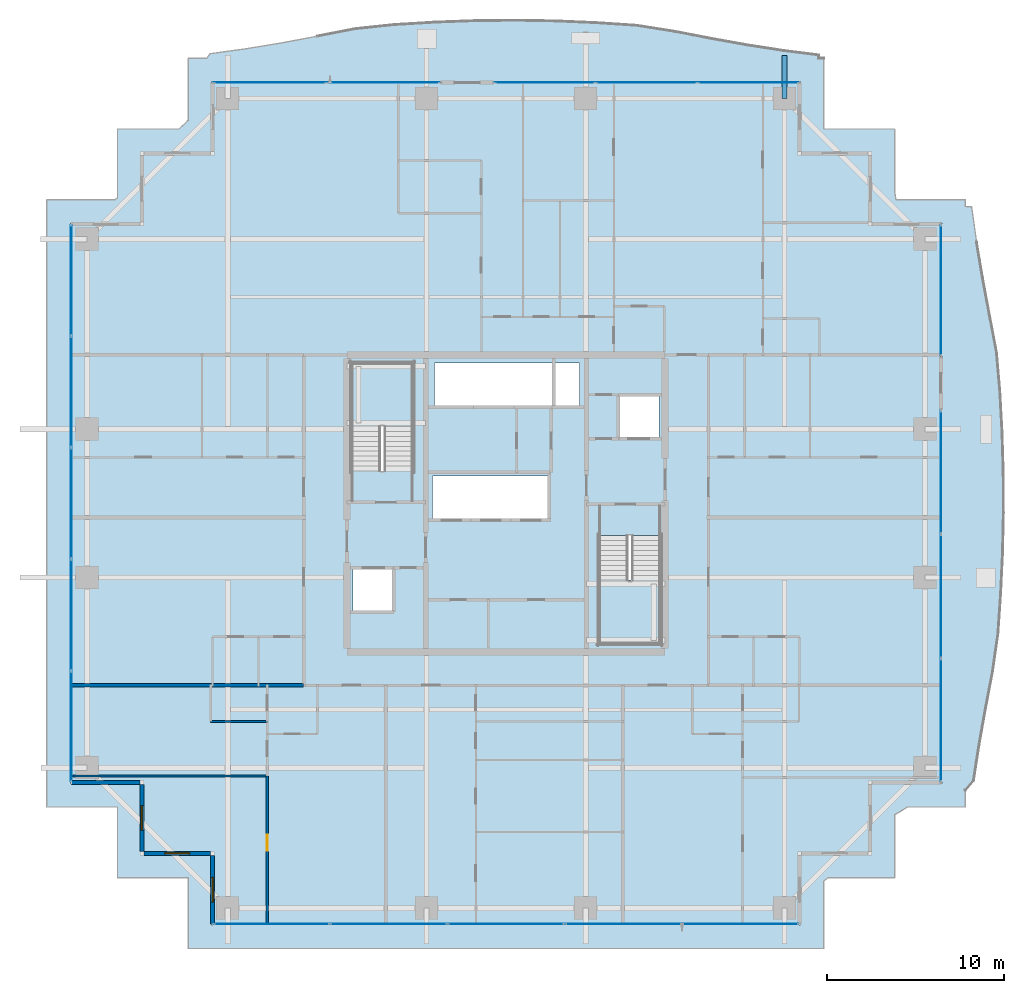
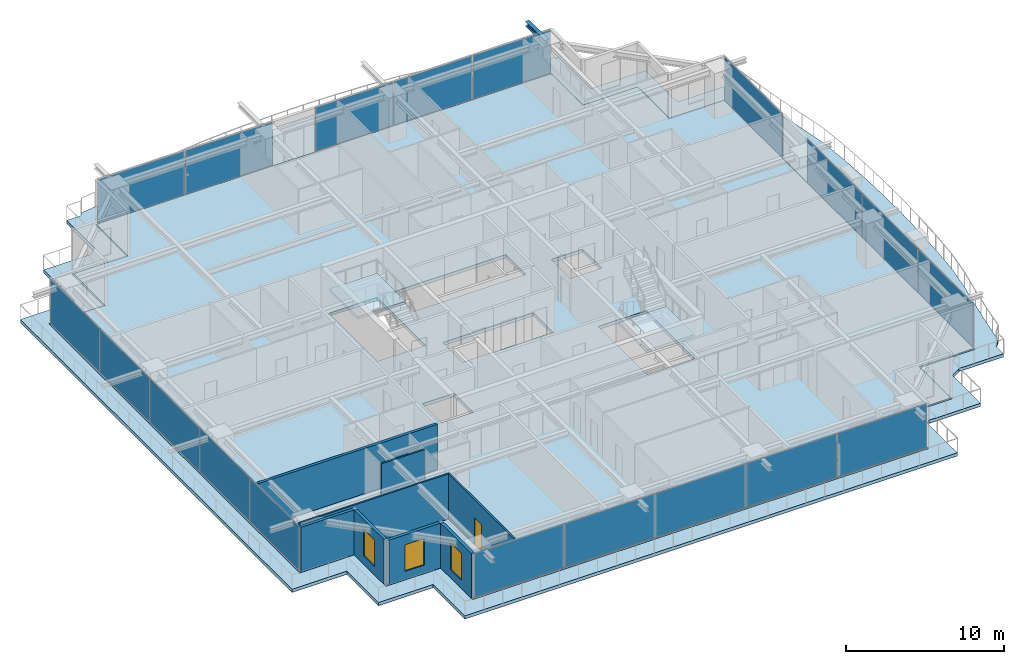
# One storey, part 23 of 34: 19 plates, 8 walls, 4 slabs, 3 windows, 1 beam, 1 door, 4 openings, 8 elements without a shape of their own.
"""IFC4 building model written with IfcOpenShell, lengths in metres."""

from ifc_helpers import new_model, si_unit, direction, frame, frame_2d, origin, origin_2d, place, context, subcontext, project, spatial, polyline, rectangle, i_section, outline, extrude, source, transform, mapped, material, layer, layer_set, material_profile, profile_set, type_object, element, fill, aggregate, save


model = new_model("IFC4")

# Units and contexts
model_context = context("Model", 3, precision=1e-05, world=origin(), true_north=direction((0.0, 1.0)))
body_context = subcontext(model_context, "Body", "Model", "MODEL_VIEW")
ifc_project = project(units=[si_unit("LENGTHUNIT", "METRE"), si_unit("AREAUNIT", "SQUARE_METRE"), si_unit("VOLUMEUNIT", "CUBIC_METRE"), si_unit("PLANEANGLEUNIT", "RADIAN"), si_unit("MASSUNIT", "GRAM", prefix="KILO")], contexts=[model_context])

# Site, building, storey
site_placement = place(None, origin())
site = spatial("IfcSite", under=ifc_project, at=site_placement, CompositionType="ELEMENT")
building_placement = place(site_placement, origin())
building = spatial("IfcBuilding", under=site, at=building_placement, Name="Serunith Strait Residences", CompositionType="ELEMENT")
storey_placement = place(building_placement, frame((0.0, 0.0, 180.14990234375)))
storey = spatial("IfcBuildingStorey", under=building, at=storey_placement, Name="L45", CompositionType="ELEMENT", Elevation=180.14990234375)

# Beam
ifc_material_1 = material(Name="Steel S355J2", Category="steel")
ifc_material_profile = material_profile(ifc_material_1, i_section(OverallWidth=0.300048828125, OverallDepth=0.360107421875, WebThickness=0.012451171875, FlangeThickness=0.0224609375, FilletRadius=0.027099609375, at=origin_2d()), Name="HEB 360")
ifc_profile_set = profile_set([ifc_material_profile], Name="Steel S355J2")
beam_type = type_object("IfcBeamType", Name="BM-HEB360", PredefinedType="BEAM", material=ifc_profile_set)
shared_shape_1 = source(origin(), body_context, "Body", "SweptSolid", [
    extrude(i_section(OverallWidth=0.300048828125, OverallDepth=0.360107421875, WebThickness=0.012451171875, FlangeThickness=0.0224609375, FilletRadius=0.027099609375, at=origin_2d()), origin(), (0.0, 0.0, 1.0), 2.434814453125),
])
beam_placement = place(storey_placement, frame((48.14990234375, 48.10009765625, 3.277099609375), z_axis=(0.0, 1.0, 0.0), x_axis=(-1.0, 0.0, 0.0)))
element("IfcBeam", 1, at=beam_placement, inside=storey, type_object=beam_type, Name="L46 Cantilevered Balcony Rib TC-N4", PredefinedType="BEAM", context=body_context, shape_type="MappedRepresentation", body=[
    mapped(shared_shape_1, transform((0.0, 0.0, 0.0), scale=1.0)),
])

# Slab
ifc_material_2 = material(Name="Concrete C50/60", Category="concrete")
ifc_layer_1 = layer(ifc_material_2, 0.239990234375, Name="Concrete C50/60")
ifc_layer_set_1 = layer_set([ifc_layer_1], Name="Concrete C50/60")
slab_type_1 = type_object("IfcSlabType", Name="SLB-BALC-240", PredefinedType="FLOOR", material=ifc_layer_set_1)
slab_1_placement = place(storey_placement, frame((0.0, 0.0, -0.289794921875)))
element("IfcSlab", 2, at=slab_1_placement, inside=storey, type_object=slab_type_1, Name="L45 Planted Vertical-Forest Balcony Slab", PredefinedType="FLOOR", context=body_context, shape_type="SweptSolid", body=[
    extrude(outline(polyline([(10.419921875, 46.3798828125), (13.90234375, 46.3798828125), (14.419921875, 46.875732421875), (14.419921875, 50.3798828125), (15.46826171875, 50.3798828125), (15.654296875, 50.63916015625), (17.6533203125, 50.912353515625), (19.669677734375, 51.244384765625), (21.7216796875, 51.627685546875), (23.8291015625, 52.0400390625), (26.048583984375, 52.27392578125), (28.322021484375, 52.412353515625), (30.622314453125, 52.498046875), (32.935791015625, 52.522216796875), (35.24658203125, 52.482421875), (37.53955078125, 52.3828125), (39.802001953125, 52.23291015625), (41.968994140625, 51.888427734375), (44.05126953125, 51.484375), (46.085693359375, 51.119384765625), (48.092529296875, 50.810302734375), (50.08740234375, 50.55908203125), (50.0859375, 50.3798828125), (50.3798828125, 50.3798828125), (50.3798828125, 46.3798828125), (54.3798828125, 46.3798828125), (54.3798828125, 42.892333984375), (54.456787109375, 42.3798828125), (58.3798828125, 42.3798828125), (58.3798828125, 41.99365234375), (58.737548828125, 41.97314453125), (59.02197265625, 39.971923828125), (59.361328125, 37.949951171875), (59.745361328125, 35.889892578125), (60.1494140625, 33.77294921875), (60.34375, 31.542236328125), (60.466796875, 29.269287109375), (60.53662109375, 26.972900390625), (60.54638671875, 24.666015625), (60.4951171875, 22.36376953125), (60.387939453125, 20.080322265625), (60.23486328125, 17.826416015625), (59.921630859375, 15.6533203125), (59.5234375, 13.56787109375), (59.1611328125, 11.529296875), (58.850830078125, 9.51953125), (58.3798828125, 8.9677734375), (58.3798828125, 8.02001953125), (55.118896484375, 8.02001953125), (54.3798828125, 7.578125), (54.3798828125, 4.02001953125), (50.601806640625, 4.02001953125), (50.3798828125, 3.8408203125), (50.3798828125, 0.02001953125), (14.419921875, 0.02001953125), (14.419921875, 4.02001953125), (10.419921875, 4.02001953125), (10.419921875, 8.02001953125), (6.419921875, 8.02001953125), (6.419921875, 42.3798828125), (10.284912109375, 42.3798828125), (10.419921875, 42.47802734375), (10.419921875, 46.3798828125)]), holes=[polyline([(49.054931640625, 1.344970703125), (49.054931640625, 5.344970703125), (53.054931640625, 5.344970703125), (53.054931640625, 9.344970703125), (57.054931640625, 9.344970703125), (57.054931640625, 41.054931640625), (53.054931640625, 41.054931640625), (53.054931640625, 45.054931640625), (49.054931640625, 45.054931640625), (49.054931640625, 49.054931640625), (15.7451171875, 49.054931640625), (15.7451171875, 45.054931640625), (11.7451171875, 45.054931640625), (11.7451171875, 41.054931640625), (7.7451171875, 41.054931640625), (7.7451171875, 9.344970703125), (11.7451171875, 9.344970703125), (11.7451171875, 5.344970703125), (15.7451171875, 5.344970703125), (15.7451171875, 1.344970703125), (49.054931640625, 1.344970703125)])]), origin(), (0.0, 0.0, 1.0), 0.239990234375),
])

# Stair, slab
stair_type_1 = type_object("IfcStairType", Name="STR-CORE-1", PredefinedType="HALF_TURN_STAIR", material=ifc_material_2)
stair_1_placement = place(storey_placement, origin())
stair_1 = element("IfcStair", 3, at=stair_1_placement, inside=storey, type_object=stair_type_1, Name="L45 Protected Escape Stair ST-1", PredefinedType="HALF_TURN_STAIR")
ifc_layer_2 = layer(ifc_material_2, 0.199951171875, Name="Concrete C50/60")
ifc_layer_set_2 = layer_set([ifc_layer_2], Name="Concrete C50/60")
slab_type_2 = type_object("IfcSlabType", Name="SLB-LAND-200", PredefinedType="LANDING", material=ifc_layer_set_2)
slab_2_placement = place(storey_placement, frame((0.0, 0.0, 1.675048828125)))
slab_2 = element("IfcSlab", 4, at=slab_2_placement, type_object=slab_type_2, Name="ST-1 landing 1", PredefinedType="LANDING", context=body_context, shape_type="SweptSolid", body=[
    extrude(outline(polyline([(27.14990234375, 29.550048828125), (27.14990234375, 33.14990234375), (23.64990234375, 33.14990234375), (23.64990234375, 29.550048828125), (27.14990234375, 29.550048828125)])), origin(), (0.0, 0.0, 1.0), 0.199951171875),
])
aggregate(stair_1, [slab_2])

stair_type_2 = type_object("IfcStairType", Name="STR-CORE-2", PredefinedType="HALF_TURN_STAIR", material=ifc_material_2)
stair_2_placement = place(storey_placement, origin())
stair_2 = element("IfcStair", 5, at=stair_2_placement, inside=storey, type_object=stair_type_2, Name="L45 Protected Escape Stair ST-2", PredefinedType="HALF_TURN_STAIR")
slab_3_placement = place(storey_placement, frame((0.0, 0.0, 1.675048828125)))
slab_3 = element("IfcSlab", 6, at=slab_3_placement, type_object=slab_type_2, Name="ST-2 landing 1", PredefinedType="LANDING", context=body_context, shape_type="SweptSolid", body=[
    extrude(outline(polyline([(37.64990234375, 20.85009765625), (37.64990234375, 17.25), (41.14990234375, 17.25), (41.14990234375, 20.85009765625), (37.64990234375, 20.85009765625)])), origin(), (0.0, 0.0, 1.0), 0.199951171875),
])
aggregate(stair_2, [slab_3])

# Slab
ifc_material_3 = material(Name="Concrete C60/75", Category="concrete")
ifc_layer_3 = layer(ifc_material_3, 0.260009765625, Name="Concrete C60/75")
ifc_layer_set_3 = layer_set([ifc_layer_3], Name="Concrete C60/75")
slab_type_3 = type_object("IfcSlabType", Name="SLB-TWR-260-Z2", PredefinedType="FLOOR", material=ifc_layer_set_3)
slab_4_placement = place(storey_placement, frame((0.0, 0.0, -0.260009765625)))
element("IfcSlab", 7, at=slab_4_placement, inside=storey, type_object=slab_type_3, Name="L45 Structural Floor Plate", PredefinedType="FLOOR", context=body_context, shape_type="SweptSolid", body=[
    extrude(outline(polyline([(15.800048828125, 5.39990234375), (11.800048828125, 5.39990234375), (11.800048828125, 9.39990234375), (7.800048828125, 9.39990234375), (7.800048828125, 41.0), (11.800048828125, 41.0), (11.800048828125, 45.0), (15.800048828125, 45.0), (15.800048828125, 49.0), (49.0, 49.0), (49.0, 45.0), (53.0, 45.0), (53.0, 41.0), (57.0, 41.0), (57.0, 9.39990234375), (53.0, 9.39990234375), (53.0, 5.39990234375), (49.0, 5.39990234375), (49.0, 1.39990234375), (15.800048828125, 1.39990234375), (15.800048828125, 5.39990234375)]), holes=[polyline([(41.14990234375, 23.3701171875), (37.64990234375, 23.3701171875), (37.64990234375, 17.25), (41.14990234375, 17.25), (41.14990234375, 23.3701171875)]), polyline([(38.75, 31.25), (38.75, 28.85009765625), (41.050048828125, 28.85009765625), (41.050048828125, 31.25), (38.75, 31.25)]), polyline([(36.550048828125, 33.14990234375), (28.35009765625, 33.14990234375), (28.35009765625, 30.64990234375), (36.550048828125, 30.64990234375), (36.550048828125, 33.14990234375)]), polyline([(34.85009765625, 26.75), (28.25, 26.75), (28.25, 24.25), (34.85009765625, 24.25), (34.85009765625, 26.75)]), polyline([(23.64990234375, 33.14990234375), (23.64990234375, 27.030029296875), (27.14990234375, 27.030029296875), (27.14990234375, 33.14990234375), (23.64990234375, 33.14990234375)]), polyline([(26.050048828125, 21.550048828125), (23.75, 21.550048828125), (23.75, 19.14990234375), (26.050048828125, 19.14990234375), (26.050048828125, 21.550048828125)])]), origin(), (0.0, 0.0, 1.0), 0.260009765625),
])

# Curtain wall, plates
ifc_material_4 = material(Name="Pale-Champagne Anodised Aluminium", Category="aluminium")
ifc_layer_4 = layer(ifc_material_4, 0.199951171875, Name="Pale-Champagne Anodised Aluminium")
ifc_layer_set_4 = layer_set([ifc_layer_4], Name="Pale-Champagne Anodised Aluminium")
curtain_wall_type = type_object("IfcCurtainWallType", Name="CW-SYS2", PredefinedType="NOTDEFINED", material=ifc_layer_set_4)
curtain_wall_1_placement = place(storey_placement, origin())
curtain_wall_1 = element("IfcCurtainWall", 8, at=curtain_wall_1_placement, inside=storey, type_object=curtain_wall_type, Name="L45 S Unitised Fritted Curtain Wall", PredefinedType="NOTDEFINED")
ifc_material_5 = material(Name="Diagonal-Frit Operable Low-E Glazing 30mm", Category="glass")
ifc_layer_5 = layer(ifc_material_5, 0.030029296875, Name="Diagonal-Frit Operable Low-E Glazing 30mm")
ifc_layer_set_5 = layer_set([ifc_layer_5], Name="Diagonal-Frit Operable Low-E Glazing 30mm")
plate_type = type_object("IfcPlateType", Name="CW-SYS2-PNL", PredefinedType="CURTAIN_PANEL", material=ifc_layer_set_5)
shared_shape_2 = source(origin(), body_context, "Body", "SweptSolid", [
    extrude(rectangle(XDim=6.534912109375, YDim=0.030029296875, at=origin_2d()), origin(), (0.0, 0.0, 1.0), 3.35498046875),
])
plate_1_placement = place(storey_placement, frame((19.137451171875, 1.39990234375, 0.06005859375), z_axis=(0.0, 0.0, 1.0), x_axis=(1.0, 0.0, 0.0)))
plate_1 = element("IfcPlate", 9, at=plate_1_placement, type_object=plate_type, Name="CW-2 panel 1.1", PredefinedType="CURTAIN_PANEL", context=body_context, shape_type="MappedRepresentation", body=[
    mapped(shared_shape_2, transform((0.0, 0.0, 0.0), scale=1.0)),
])
plate_2_placement = place(storey_placement, frame((45.66259765625, 1.39990234375, 0.06005859375), z_axis=(0.0, 0.0, 1.0), x_axis=(1.0, 0.0, 0.0)))
plate_2 = element("IfcPlate", 10, at=plate_2_placement, type_object=plate_type, Name="CW-2 panel 5.1", PredefinedType="CURTAIN_PANEL", context=body_context, shape_type="MappedRepresentation", body=[
    mapped(shared_shape_2, transform((0.0, 0.0, 0.0), scale=1.0)),
])
shared_shape_3 = source(origin(), body_context, "Body", "SweptSolid", [
    extrude(rectangle(XDim=6.570068359375, YDim=0.030029296875, at=origin_2d()), origin(), (0.0, 0.0, 1.0), 3.35498046875),
])
plate_3_placement = place(storey_placement, frame((25.760009765625, 1.39990234375, 0.06005859375), z_axis=(0.0, 0.0, 1.0), x_axis=(1.0, 0.0, 0.0)))
plate_3 = element("IfcPlate", 11, at=plate_3_placement, type_object=plate_type, Name="CW-2 panel 2.1", PredefinedType="CURTAIN_PANEL", context=body_context, shape_type="MappedRepresentation", body=[
    mapped(shared_shape_3, transform((0.0, 0.0, 0.0), scale=1.0)),
])
plate_4_placement = place(storey_placement, frame((32.39990234375, 1.39990234375, 0.06005859375), z_axis=(0.0, 0.0, 1.0), x_axis=(1.0, 0.0, 0.0)))
plate_4 = element("IfcPlate", 12, at=plate_4_placement, type_object=plate_type, Name="CW-2 panel 3.1", PredefinedType="CURTAIN_PANEL", context=body_context, shape_type="MappedRepresentation", body=[
    mapped(shared_shape_3, transform((0.0, 0.0, 0.0), scale=1.0)),
])
plate_5_placement = place(storey_placement, frame((39.0400390625, 1.39990234375, 0.06005859375), z_axis=(0.0, 0.0, 1.0), x_axis=(1.0, 0.0, 0.0)))
plate_5 = element("IfcPlate", 13, at=plate_5_placement, type_object=plate_type, Name="CW-2 panel 4.1", PredefinedType="CURTAIN_PANEL", context=body_context, shape_type="MappedRepresentation", body=[
    mapped(shared_shape_3, transform((0.0, 0.0, 0.0), scale=1.0)),
])
aggregate(curtain_wall_1, [plate_1, plate_3, plate_4, plate_5, plate_2])

curtain_wall_2_placement = place(storey_placement, origin())
curtain_wall_2 = element("IfcCurtainWall", 14, at=curtain_wall_2_placement, inside=storey, type_object=curtain_wall_type, Name="L45 W Unitised Fritted Curtain Wall", PredefinedType="NOTDEFINED")
shared_shape_4 = source(origin(), body_context, "Body", "SweptSolid", [
    extrude(rectangle(XDim=6.215087890625, YDim=0.030029296875, at=origin_2d()), origin(), (0.0, 0.0, 1.0), 3.35498046875),
])
plate_6_placement = place(storey_placement, frame((7.800048828125, 37.822509765625, 0.06005859375), z_axis=(0.0, 0.0, 1.0), x_axis=(0.0, -1.0, 0.0)))
plate_6 = element("IfcPlate", 15, at=plate_6_placement, type_object=plate_type, Name="CW-2 panel 1.1", PredefinedType="CURTAIN_PANEL", context=body_context, shape_type="MappedRepresentation", body=[
    mapped(shared_shape_4, transform((0.0, 0.0, 0.0), scale=1.0)),
])
plate_7_placement = place(storey_placement, frame((7.800048828125, 12.577392578125, 0.06005859375), z_axis=(0.0, 0.0, 1.0), x_axis=(0.0, -1.0, 0.0)))
plate_7 = element("IfcPlate", 16, at=plate_7_placement, type_object=plate_type, Name="CW-2 panel 5.1", PredefinedType="CURTAIN_PANEL", context=body_context, shape_type="MappedRepresentation", body=[
    mapped(shared_shape_4, transform((0.0, 0.0, 0.0), scale=1.0)),
])
shared_shape_5 = source(origin(), body_context, "Body", "SweptSolid", [
    extrude(rectangle(XDim=6.25, YDim=0.030029296875, at=origin_2d()), origin(), (0.0, 0.0, 1.0), 3.35498046875),
])
plate_8_placement = place(storey_placement, frame((7.800048828125, 31.52001953125, 0.06005859375), z_axis=(0.0, 0.0, 1.0), x_axis=(0.0, -1.0, 0.0)))
plate_8 = element("IfcPlate", 17, at=plate_8_placement, type_object=plate_type, Name="CW-2 panel 2.1", PredefinedType="CURTAIN_PANEL", context=body_context, shape_type="MappedRepresentation", body=[
    mapped(shared_shape_5, transform((0.0, 0.0, 0.0), scale=1.0)),
])
plate_9_placement = place(storey_placement, frame((7.800048828125, 25.199951171875, 0.06005859375), z_axis=(0.0, 0.0, 1.0), x_axis=(0.0, -1.0, 0.0)))
plate_9 = element("IfcPlate", 18, at=plate_9_placement, type_object=plate_type, Name="CW-2 panel 3.1", PredefinedType="CURTAIN_PANEL", context=body_context, shape_type="MappedRepresentation", body=[
    mapped(shared_shape_5, transform((0.0, 0.0, 0.0), scale=1.0)),
])
plate_10_placement = place(storey_placement, frame((7.800048828125, 18.8798828125, 0.06005859375), z_axis=(0.0, 0.0, 1.0), x_axis=(0.0, -1.0, 0.0)))
plate_10 = element("IfcPlate", 19, at=plate_10_placement, type_object=plate_type, Name="CW-2 panel 4.1", PredefinedType="CURTAIN_PANEL", context=body_context, shape_type="MappedRepresentation", body=[
    mapped(shared_shape_5, transform((0.0, 0.0, 0.0), scale=1.0)),
])
aggregate(curtain_wall_2, [plate_6, plate_8, plate_9, plate_10, plate_7])

curtain_wall_3_placement = place(storey_placement, origin())
curtain_wall_3 = element("IfcCurtainWall", 20, at=curtain_wall_3_placement, inside=storey, type_object=curtain_wall_type, Name="L45 N Unitised Fritted Curtain Wall", PredefinedType="NOTDEFINED")
shared_shape_6 = source(origin(), body_context, "Body", "SweptSolid", [
    extrude(rectangle(XDim=5.66162109375, YDim=0.030029296875, at=origin_2d()), origin(), (0.0, 0.0, 1.0), 3.35498046875),
])
plate_11_placement = place(storey_placement, frame((46.09912109375, 49.0, 0.06005859375), z_axis=(0.0, 0.0, 1.0), x_axis=(-1.0, 0.0, 0.0)))
plate_11 = element("IfcPlate", 21, at=plate_11_placement, type_object=plate_type, Name="CW-2 panel 1.1", PredefinedType="CURTAIN_PANEL", context=body_context, shape_type="MappedRepresentation", body=[
    mapped(shared_shape_6, transform((0.0, 0.0, 0.0), scale=1.0)),
])
plate_12_placement = place(storey_placement, frame((34.600830078125, 49.0, 0.06005859375), z_axis=(0.0, 0.0, 1.0), x_axis=(-1.0, 0.0, 0.0)))
plate_12 = element("IfcPlate", 22, at=plate_12_placement, type_object=plate_type, Name="CW-2 panel 3.1", PredefinedType="CURTAIN_PANEL", context=body_context, shape_type="MappedRepresentation", body=[
    mapped(shared_shape_6, transform((0.0, 0.0, 0.0), scale=1.0)),
])
shared_shape_7 = source(origin(), body_context, "Body", "SweptSolid", [
    extrude(rectangle(XDim=5.69677734375, YDim=0.030029296875, at=origin_2d()), origin(), (0.0, 0.0, 1.0), 3.35498046875),
])
plate_13_placement = place(storey_placement, frame((40.35009765625, 49.0, 0.06005859375), z_axis=(0.0, 0.0, 1.0), x_axis=(-1.0, 0.0, 0.0)))
plate_13 = element("IfcPlate", 23, at=plate_13_placement, type_object=plate_type, Name="CW-2 panel 2.1", PredefinedType="CURTAIN_PANEL", context=body_context, shape_type="MappedRepresentation", body=[
    mapped(shared_shape_7, transform((0.0, 0.0, 0.0), scale=1.0)),
])
aggregate(curtain_wall_3, [plate_11, plate_13, plate_12])

curtain_wall_4_placement = place(storey_placement, origin())
curtain_wall_4 = element("IfcCurtainWall", 24, at=curtain_wall_4_placement, inside=storey, type_object=curtain_wall_type, Name="L45 N Unitised Fritted Curtain Wall", PredefinedType="NOTDEFINED")
shared_shape_8 = source(origin(), body_context, "Body", "SweptSolid", [
    extrude(rectangle(XDim=6.344970703125, YDim=0.030029296875, at=origin_2d()), origin(), (0.0, 0.0, 1.0), 3.35498046875),
])
plate_14_placement = place(storey_placement, frame((25.45751953125, 49.0, 0.06005859375), z_axis=(0.0, 0.0, 1.0), x_axis=(-1.0, 0.0, 0.0)))
plate_14 = element("IfcPlate", 25, at=plate_14_placement, type_object=plate_type, Name="CW-2 panel 1.1", PredefinedType="CURTAIN_PANEL", context=body_context, shape_type="MappedRepresentation", body=[
    mapped(shared_shape_8, transform((0.0, 0.0, 0.0), scale=1.0)),
])
plate_15_placement = place(storey_placement, frame((19.04248046875, 49.0, 0.06005859375), z_axis=(0.0, 0.0, 1.0), x_axis=(-1.0, 0.0, 0.0)))
plate_15 = element("IfcPlate", 26, at=plate_15_placement, type_object=plate_type, Name="CW-2 panel 2.1", PredefinedType="CURTAIN_PANEL", context=body_context, shape_type="MappedRepresentation", body=[
    mapped(shared_shape_8, transform((0.0, 0.0, 0.0), scale=1.0)),
])
aggregate(curtain_wall_4, [plate_14, plate_15])

# Curtain wall, plate
curtain_wall_5_placement = place(storey_placement, origin())
curtain_wall_5 = element("IfcCurtainWall", 27, at=curtain_wall_5_placement, inside=storey, type_object=curtain_wall_type, Name="L45 E Unitised Fritted Curtain Wall", PredefinedType="NOTDEFINED")
shared_shape_9 = source(origin(), body_context, "Body", "SweptSolid", [
    extrude(rectangle(XDim=7.360107421875, YDim=0.030029296875, at=origin_2d()), origin(), (0.0, 0.0, 1.0), 3.35498046875),
])
plate_16_placement = place(storey_placement, frame((57.0, 37.25, 0.06005859375), z_axis=(0.0, 0.0, 1.0), x_axis=(0.0, 1.0, 0.0)))
plate_16 = element("IfcPlate", 28, at=plate_16_placement, type_object=plate_type, Name="CW-2 panel 1.1", PredefinedType="CURTAIN_PANEL", context=body_context, shape_type="MappedRepresentation", body=[
    mapped(shared_shape_9, transform((0.0, 0.0, 0.0), scale=1.0)),
])
aggregate(curtain_wall_5, [plate_16])

# Curtain wall, plates
curtain_wall_6_placement = place(storey_placement, origin())
curtain_wall_6 = element("IfcCurtainWall", 29, at=curtain_wall_6_placement, inside=storey, type_object=curtain_wall_type, Name="L45 E Unitised Fritted Curtain Wall", PredefinedType="NOTDEFINED")
shared_shape_10 = source(origin(), body_context, "Body", "SweptSolid", [
    extrude(rectangle(XDim=6.92822265625, YDim=0.030029296875, at=origin_2d()), origin(), (0.0, 0.0, 1.0), 3.35498046875),
])
plate_17_placement = place(storey_placement, frame((57.0, 12.93408203125, 0.06005859375), z_axis=(0.0, 0.0, 1.0), x_axis=(0.0, 1.0, 0.0)))
plate_17 = element("IfcPlate", 30, at=plate_17_placement, type_object=plate_type, Name="CW-2 panel 1.1", PredefinedType="CURTAIN_PANEL", context=body_context, shape_type="MappedRepresentation", body=[
    mapped(shared_shape_10, transform((0.0, 0.0, 0.0), scale=1.0)),
])
plate_18_placement = place(storey_placement, frame((57.0, 26.9658203125, 0.06005859375), z_axis=(0.0, 0.0, 1.0), x_axis=(0.0, 1.0, 0.0)))
plate_18 = element("IfcPlate", 31, at=plate_18_placement, type_object=plate_type, Name="CW-2 panel 3.1", PredefinedType="CURTAIN_PANEL", context=body_context, shape_type="MappedRepresentation", body=[
    mapped(shared_shape_10, transform((0.0, 0.0, 0.0), scale=1.0)),
])
shared_shape_11 = source(origin(), body_context, "Body", "SweptSolid", [
    extrude(rectangle(XDim=6.96337890625, YDim=0.030029296875, at=origin_2d()), origin(), (0.0, 0.0, 1.0), 3.35498046875),
])
plate_19_placement = place(storey_placement, frame((57.0, 19.949951171875, 0.06005859375), z_axis=(0.0, 0.0, 1.0), x_axis=(0.0, 1.0, 0.0)))
plate_19 = element("IfcPlate", 32, at=plate_19_placement, type_object=plate_type, Name="CW-2 panel 2.1", PredefinedType="CURTAIN_PANEL", context=body_context, shape_type="MappedRepresentation", body=[
    mapped(shared_shape_11, transform((0.0, 0.0, 0.0), scale=1.0)),
])
aggregate(curtain_wall_6, [plate_17, plate_19, plate_18])

# Wall
ifc_material_6 = material(Name="Pale-Champagne Aluminium Insulated Panel", Category="aluminium")
ifc_layer_6 = layer(ifc_material_6, 0.219970703125, Name="Pale-Champagne Aluminium Insulated Panel")
ifc_layer_set_6 = layer_set([ifc_layer_6], Name="Pale-Champagne Aluminium Insulated Panel")
wall_type_1 = type_object("IfcWallType", Name="EW-ALUM-220", PredefinedType="ELEMENTEDWALL", material=ifc_layer_set_6)
wall_1_placement = place(storey_placement, frame((7.800048828125, 9.39990234375, 0.0), z_axis=(0.0, 0.0, 1.0), x_axis=(1.0, 0.0, 0.0)))
element("IfcWall", 33, at=wall_1_placement, inside=storey, type_object=wall_type_1, Name="L45 Girih Serrated Corner Wall 17", PredefinedType="ELEMENTEDWALL", context=body_context, shape_type="SweptSolid", body=[
    extrude(rectangle(XDim=3.889892578125, YDim=0.219970703125, at=frame_2d((1.94482421875, 0.0))), origin(), (0.0, 0.0, 1.0), 3.47509765625),
])

# Wall, opening, window
wall_2_placement = place(storey_placement, frame((11.800048828125, 9.2900390625, 0.0), z_axis=(0.0, 0.0, 1.0), x_axis=(0.0, -1.0, 0.0)))
wall_2 = element("IfcWall", 34, at=wall_2_placement, inside=storey, type_object=wall_type_1, Name="L45 Girih Serrated Corner Wall 18", PredefinedType="ELEMENTEDWALL", context=body_context, shape_type="SweptSolid", body=[
    extrude(rectangle(XDim=3.780029296875, YDim=0.219970703125, at=frame_2d((1.89013671875, 0.0))), origin(), (0.0, 0.0, 1.0), 3.47509765625),
])
opening_1_placement = place(wall_2_placement, frame((1.18994140625, 0.0, 0.64990234375)))
opening_1 = element("IfcOpeningElement", 35, at=opening_1_placement, cuts=wall_2, Name="Opening W-03", PredefinedType="OPENING", context=body_context, shape_type="SweptSolid", body=[
    extrude(rectangle(XDim=1.39990234375, YDim=2.050048828125, at=frame_2d((0.699951171875, 1.02490234375))), frame((0.0, 0.1201171875, 0.0), z_axis=(0.0, -1.0, 0.0), x_axis=(1.0, 0.0, 0.0)), (0.0, 0.0, 1.0), 0.239990234375),
])
ifc_material_7 = material(Name="Ceramic-Fritted Operable Aluminium Window Glass", Category="aluminium")
window_type = type_object("IfcWindowType", Name="WIN-C3", PartitioningType="SINGLE_PANEL", PredefinedType="WINDOW", material=ifc_material_7)
shared_shape_12 = source(origin(), body_context, "Body", "SweptSolid", [
    extrude(rectangle(XDim=1.39990234375, YDim=2.050048828125, at=frame_2d((0.699951171875, 1.02490234375))), frame((0.0, 0.030029296875, 0.0), z_axis=(0.0, -1.0, 0.0), x_axis=(1.0, 0.0, 0.0)), (0.0, 0.0, 1.0), 0.06005859375),
])
window_1_placement = place(opening_1_placement, origin())
window_1 = element("IfcWindow", 36, at=window_1_placement, inside=storey, type_object=window_type, Name="L45 Corner Operable Fritted Window 18", OverallHeight=2.050048828125, OverallWidth=1.39990234375, PartitioningType="SINGLE_PANEL", PredefinedType="WINDOW", context=body_context, shape_type="MappedRepresentation", body=[
    mapped(shared_shape_12, transform((0.0, 0.0, 0.0), scale=1.0)),
])
fill(opening_1, window_1)

wall_3_placement = place(storey_placement, frame((11.909912109375, 5.39990234375, 0.0), z_axis=(0.0, 0.0, 1.0), x_axis=(1.0, 0.0, 0.0)))
wall_3 = element("IfcWall", 37, at=wall_3_placement, inside=storey, type_object=wall_type_1, Name="L45 Girih Serrated Corner Wall 19", PredefinedType="ELEMENTEDWALL", context=body_context, shape_type="SweptSolid", body=[
    extrude(rectangle(XDim=3.780029296875, YDim=0.219970703125, at=frame_2d((1.89013671875, 0.0))), origin(), (0.0, 0.0, 1.0), 3.47509765625),
])
opening_2_placement = place(wall_3_placement, frame((1.18994140625, 0.0, 0.64990234375)))
opening_2 = element("IfcOpeningElement", 38, at=opening_2_placement, cuts=wall_3, Name="Opening W-03", PredefinedType="OPENING", context=body_context, shape_type="SweptSolid", body=[
    extrude(rectangle(XDim=1.39990234375, YDim=2.050048828125, at=frame_2d((0.699951171875, 1.02490234375))), frame((0.0, 0.1201171875, 0.0), z_axis=(0.0, -1.0, 0.0), x_axis=(1.0, 0.0, 0.0)), (0.0, 0.0, 1.0), 0.239990234375),
])
window_2_placement = place(opening_2_placement, origin())
window_2 = element("IfcWindow", 39, at=window_2_placement, inside=storey, type_object=window_type, Name="L45 Corner Operable Fritted Window 19", OverallHeight=2.050048828125, OverallWidth=1.39990234375, PartitioningType="SINGLE_PANEL", PredefinedType="WINDOW", context=body_context, shape_type="MappedRepresentation", body=[
    mapped(shared_shape_12, transform((0.0, 0.0, 0.0), scale=1.0)),
])
fill(opening_2, window_2)

wall_4_placement = place(storey_placement, frame((15.800048828125, 5.2900390625, 0.0), z_axis=(0.0, 0.0, 1.0), x_axis=(0.0, -1.0, 0.0)))
wall_4 = element("IfcWall", 40, at=wall_4_placement, inside=storey, type_object=wall_type_1, Name="L45 Girih Serrated Corner Wall 20", PredefinedType="ELEMENTEDWALL", context=body_context, shape_type="SweptSolid", body=[
    extrude(rectangle(XDim=3.89013671875, YDim=0.219970703125, at=frame_2d((1.945068359375, 0.0))), origin(), (0.0, 0.0, 1.0), 3.47509765625),
])
opening_3_placement = place(wall_4_placement, frame((1.2451171875, 0.0, 0.64990234375)))
opening_3 = element("IfcOpeningElement", 41, at=opening_3_placement, cuts=wall_4, Name="Opening W-03", PredefinedType="OPENING", context=body_context, shape_type="SweptSolid", body=[
    extrude(rectangle(XDim=1.39990234375, YDim=2.050048828125, at=frame_2d((0.699951171875, 1.02490234375))), frame((0.0, 0.1201171875, 0.0), z_axis=(0.0, -1.0, 0.0), x_axis=(1.0, 0.0, 0.0)), (0.0, 0.0, 1.0), 0.239990234375),
])
window_3_placement = place(opening_3_placement, origin())
window_3 = element("IfcWindow", 42, at=window_3_placement, inside=storey, type_object=window_type, Name="L45 Corner Operable Fritted Window 20", OverallHeight=2.050048828125, OverallWidth=1.39990234375, PartitioningType="SINGLE_PANEL", PredefinedType="WINDOW", context=body_context, shape_type="MappedRepresentation", body=[
    mapped(shared_shape_12, transform((0.0, 0.0, 0.0), scale=1.0)),
])
fill(opening_3, window_3)

# Wall, opening, door
ifc_material_8 = material(Name="Lightweight steel-stud gypsum partition", Category="steel")
ifc_layer_7 = layer(ifc_material_8, 0.1201171875, Name="Lightweight steel-stud gypsum partition")
ifc_layer_set_7 = layer_set([ifc_layer_7], Name="Lightweight steel-stud gypsum partition")
wall_type_2 = type_object("IfcWallType", Name="IW-PART-120", PredefinedType="PARTITIONING", material=ifc_layer_set_7)
wall_5_placement = place(storey_placement, frame((18.889892578125, 1.4951171875, 0.0), z_axis=(0.0, 0.0, 1.0), x_axis=(0.0, 1.0, 0.0)))
wall_5 = element("IfcWall", 43, at=wall_5_placement, inside=storey, type_object=wall_type_2, Name="L45 Partition Wall 033", PredefinedType="PARTITIONING", context=body_context, shape_type="SweptSolid", body=[
    extrude(rectangle(XDim=8.285888671875, YDim=0.1201171875, at=frame_2d((4.14306640625, 0.0))), origin(), (0.0, 0.0, 1.0), 3.489990234375),
])
opening_4_placement = place(wall_5_placement, frame((4.06201171875, 0.0, 0.0)))
opening_4 = element("IfcOpeningElement", 44, at=opening_4_placement, cuts=wall_5, Name="Opening D-RM900", PredefinedType="OPENING", context=body_context, shape_type="SweptSolid", body=[
    extrude(rectangle(XDim=0.89990234375, YDim=2.10009765625, at=frame_2d((0.449951171875, 1.050048828125))), frame((0.0, 0.070068359375, 0.0), z_axis=(0.0, -1.0, 0.0), x_axis=(1.0, 0.0, 0.0)), (0.0, 0.0, 1.0), 0.14013671875),
])
ifc_material_9 = material(Name="Engineered timber flush bedroom door", Category="wood")
door_type = type_object("IfcDoorType", Name="ID-ROOM-900", OperationType="NOTDEFINED", PredefinedType="DOOR", material=ifc_material_9)
shared_shape_13 = source(origin(), body_context, "Body", "SweptSolid", [
    extrude(rectangle(XDim=0.89990234375, YDim=2.10009765625, at=frame_2d((0.449951171875, 1.050048828125))), frame((0.0, 0.02490234375, 0.0), z_axis=(0.0, -1.0, 0.0), x_axis=(1.0, 0.0, 0.0)), (0.0, 0.0, 1.0), 0.050048828125),
])
door_placement = place(opening_4_placement, origin())
door = element("IfcDoor", 45, at=door_placement, inside=storey, type_object=door_type, Name="L45 Master Bedroom 1 4501 Door", OperationType="SINGLE_SWING_RIGHT", OverallHeight=2.10009765625, OverallWidth=0.89990234375, PredefinedType="DOOR", context=body_context, shape_type="MappedRepresentation", body=[
    mapped(shared_shape_13, transform((0.0, 0.0, 0.0), scale=1.0)),
])
fill(opening_4, door)

# Walls
wall_6_placement = place(storey_placement, frame((7.89501953125, 9.781005859375, 0.0), z_axis=(0.0, 0.0, 1.0), x_axis=(1.0, 0.0, 0.0)))
element("IfcWall", 46, at=wall_6_placement, inside=storey, type_object=wall_type_2, Name="L45 Partition Wall 034", PredefinedType="PARTITIONING", context=body_context, shape_type="SweptSolid", body=[
    extrude(rectangle(XDim=10.994873046875, YDim=0.1201171875, at=frame_2d((5.49755859375, 0.0))), origin(), (0.0, 0.0, 1.0), 3.489990234375),
])
wall_7_placement = place(storey_placement, frame((15.68994140625, 12.85009765625, 0.0), z_axis=(0.0, 0.0, 1.0), x_axis=(1.0, 0.0, 0.0)))
element("IfcWall", 47, at=wall_7_placement, inside=storey, type_object=wall_type_2, Name="L45 Partition Wall 035", PredefinedType="PARTITIONING", context=body_context, shape_type="SweptSolid", body=[
    extrude(rectangle(XDim=3.199951171875, YDim=0.1201171875, at=frame_2d((1.60009765625, 0.0))), origin(), (0.0, 0.0, 1.0), 3.489990234375),
])
ifc_material_10 = material(Name="Twin-stud acoustic gypsum board partition")
ifc_layer_8 = layer(ifc_material_10, 0.199951171875, Name="Twin-stud acoustic gypsum board partition")
ifc_layer_set_8 = layer_set([ifc_layer_8], Name="Twin-stud acoustic gypsum board partition")
wall_type_3 = type_object("IfcWallType", Name="IW-PARTY-200", PredefinedType="PARTITIONING", material=ifc_layer_set_8)
wall_8_placement = place(storey_placement, frame((7.882080078125, 14.89990234375, 0.0), z_axis=(0.0, 0.0, 1.0), x_axis=(1.0, 0.0, 0.0)))
element("IfcWall", 48, at=wall_8_placement, inside=storey, type_object=wall_type_3, Name="L45 Partition Wall 022", PredefinedType="PARTITIONING", context=body_context, shape_type="SweptSolid", body=[
    extrude(rectangle(XDim=13.06787109375, YDim=0.199951171875, at=frame_2d((6.533935546875, 0.0))), origin(), (0.0, 0.0, 1.0), 3.489990234375),
])

save(model, "model.ifc")
